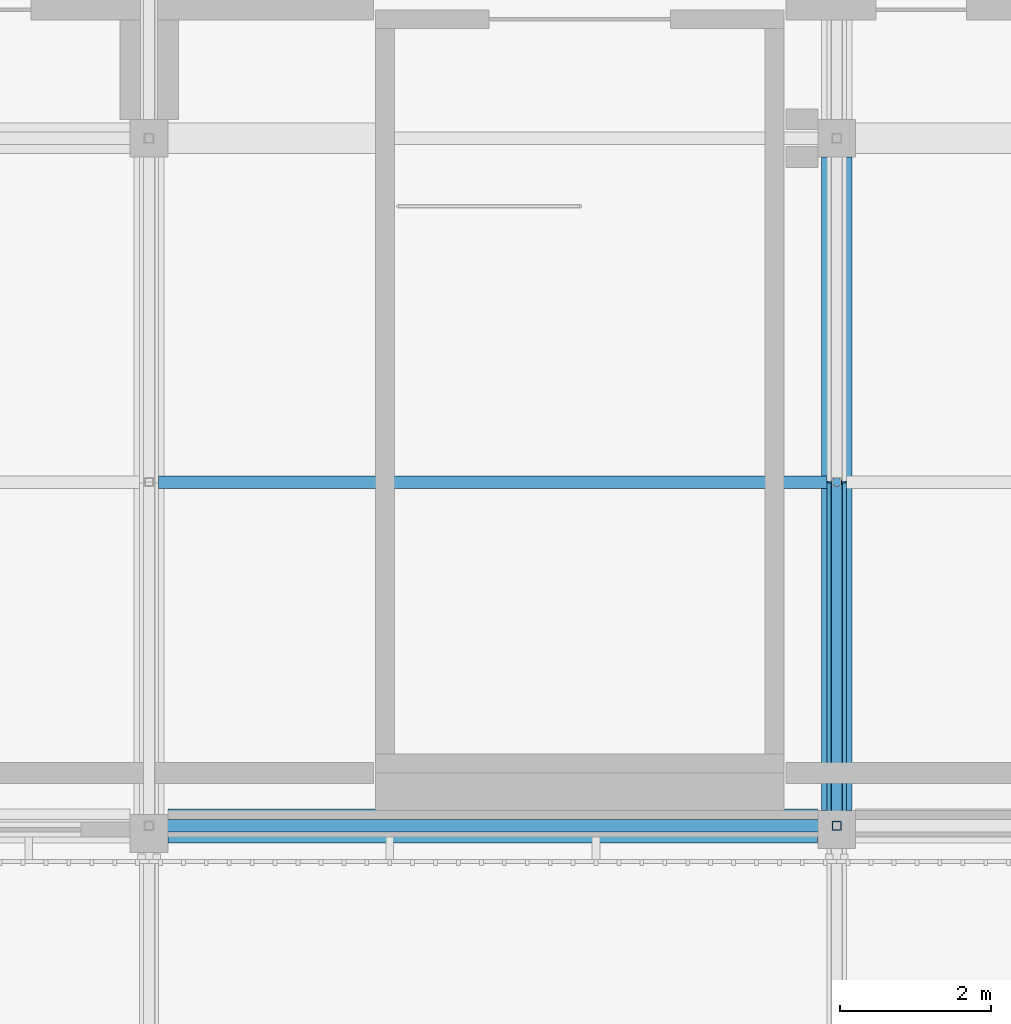
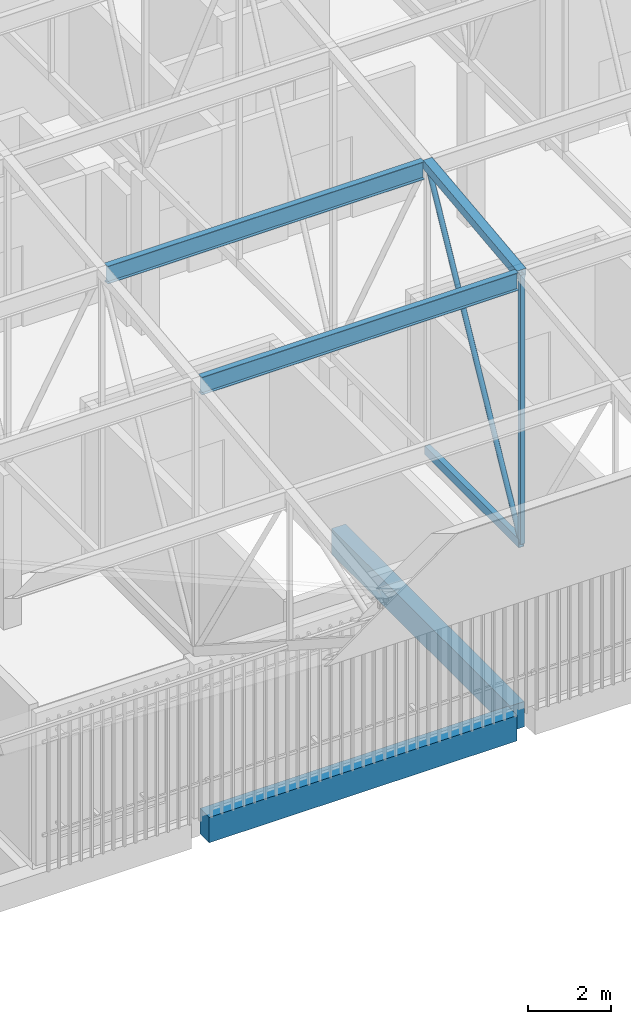
# One storey, part 117 of 500: 6 members, 2 beams.
"""IFC4 building model written with IfcOpenShell, lengths in metres."""

from ifc_helpers import new_model, si_unit, direction, frame, origin, origin_2d, place, context, subcontext, project, spatial, rectangle, hollow_rectangle, hollow_circle, i_section, extrude, material, material_profile, profile_set, type_object, element, save


model = new_model("IFC4")

# Units and contexts
model_context = context("Model", 3, precision=1e-05, world=origin(), true_north=direction((0.0, 1.0)))
body_context = subcontext(model_context, "Body", "Model", "MODEL_VIEW")
ifc_project = project(units=[si_unit("LENGTHUNIT", "METRE"), si_unit("AREAUNIT", "SQUARE_METRE"), si_unit("VOLUMEUNIT", "CUBIC_METRE"), si_unit("PLANEANGLEUNIT", "RADIAN"), si_unit("MASSUNIT", "GRAM", prefix="KILO")], contexts=[model_context])

# Site, building, storey
site_placement = place(None, origin())
site = spatial("IfcSite", under=ifc_project, at=site_placement, CompositionType="ELEMENT")
building_placement = place(site_placement, origin())
building = spatial("IfcBuilding", under=site, at=building_placement, Name="Shirokan Park Arena", CompositionType="ELEMENT")
storey_placement = place(building_placement, frame((0.0, 0.0, 29.1201171875)))
storey = spatial("IfcBuildingStorey", under=building, at=storey_placement, Name="L06", CompositionType="ELEMENT", Elevation=29.1201171875)

# Members
ifc_material_1 = material(Name="Steel ASTM A500 Grade C", Category="steel")
ifc_material_profile_1 = material_profile(ifc_material_1, hollow_rectangle(XDim=0.152099609375, YDim=0.25390625, WallThickness=0.009521484375, at=origin_2d()), Name="HSS254X152.4X9.5")
ifc_profile_set_1 = profile_set([ifc_material_profile_1], Name="Steel ASTM A500 Grade C")
member_type_1 = type_object("IfcMemberType", Name="Bottom chord HSS254X152.4X9.5", PredefinedType="CHORD", material=ifc_profile_set_1)
member_1_placement = place(storey_placement, frame((118.300048828125, 0.0, 4.677001953125), z_axis=(0.0, 1.0, 0.0), x_axis=(-1.0, 0.0, 0.0)))
element("IfcMember", 1, at=member_1_placement, inside=storey, type_object=member_type_1, Name="Truss T14 bottom chord 3", PredefinedType="CHORD", context=body_context, shape_type="SweptSolid", body=[
    extrude(hollow_rectangle(XDim=0.152099609375, YDim=0.25390625, WallThickness=0.009521484375, at=origin_2d()), origin(), (0.0, 0.0, 1.0), 4.550048828125),
])
ifc_material_2 = material(Name="Steel ASTM A992", Category="steel")
ifc_material_profile_2 = material_profile(ifc_material_2, i_section(OverallWidth=0.166015625, OverallDepth=0.528076171875, WebThickness=0.009765625, FlangeThickness=0.013671875, at=origin_2d()), Name="W530X74")
ifc_profile_set_2 = profile_set([ifc_material_profile_2], Name="Steel ASTM A992")
member_type_2 = type_object("IfcMemberType", Name="Purlin W530X74", PredefinedType="PURLIN", material=ifc_profile_set_2)
for number, where, z_axis, x_axis, name in (
    (2, (109.326904296875, 0.0, 12.48583984375), (1.0, 0.0, 0.0), (0.0, 1.0, 0.0), "Purlin 3 bay 13"),
    (3, (109.326904296875, 4.550048828125, 13.005859375), (1.0, 0.0, 0.0), (0.0, 1.0, 0.0), "Purlin 4 bay 13"),
):
    element("IfcMember", number, at=place(storey_placement, frame(where, z_axis=z_axis, x_axis=x_axis)), inside=storey, type_object=member_type_2, Name=name, PredefinedType="PURLIN", context=body_context, shape_type="SweptSolid", body=[
        extrude(i_section(OverallWidth=0.166015625, OverallDepth=0.528076171875, WebThickness=0.009765625, FlangeThickness=0.013671875, at=origin_2d()), origin(), (0.0, 0.0, 1.0), 8.84619140625),
    ])

# Beams
ifc_material_3 = material(Name="Concrete C35", Category="concrete")
ifc_material_profile_3 = material_profile(ifc_material_3, rectangle(XDim=0.39990234375, YDim=0.75, at=origin_2d()), Name="400x750")
ifc_profile_set_3 = profile_set([ifc_material_profile_3], Name="Concrete C35")
beam_type_1 = type_object("IfcBeamType", Name="RC girder 400x750", PredefinedType="BEAM", material=ifc_profile_set_3)
beam_1_placement = place(storey_placement, frame((118.300048828125, 0.2001953125, -0.5751953125), z_axis=(0.0, 1.0, 0.0), x_axis=(-1.0, 0.0, 0.0)))
element("IfcBeam", 4, at=beam_1_placement, inside=storey, type_object=beam_type_1, Name="Girder 14A-14B L06", PredefinedType="BEAM", context=body_context, shape_type="SweptSolid", body=[
    extrude(rectangle(XDim=0.39990234375, YDim=0.75, at=origin_2d()), origin(), (0.0, 0.0, 1.0), 8.649658203125),
])
ifc_material_profile_4 = material_profile(ifc_material_3, rectangle(XDim=0.449951171875, YDim=0.75, at=origin_2d()), Name="450x750")
ifc_profile_set_4 = profile_set([ifc_material_profile_4], Name="Concrete C35")
beam_type_2 = type_object("IfcBeamType", Name="RC girder 450x750", PredefinedType="BEAM", material=ifc_profile_set_4)
beam_2_placement = place(storey_placement, frame((109.4501953125, 0.0, -0.5751953125), z_axis=(1.0, 0.0, 0.0), x_axis=(0.0, 1.0, 0.0)))
element("IfcBeam", 5, at=beam_2_placement, inside=storey, type_object=beam_type_2, Name="Girder 13A-14A L06", PredefinedType="BEAM", context=body_context, shape_type="SweptSolid", body=[
    extrude(rectangle(XDim=0.449951171875, YDim=0.75, at=origin_2d()), origin(), (0.0, 0.0, 1.0), 8.599609375),
])

# Members
ifc_material_profile_5 = material_profile(ifc_material_1, hollow_rectangle(XDim=0.25390625, YDim=0.25390625, WallThickness=0.009521484375, at=origin_2d()), Name="HSS254X254X9.5")
ifc_profile_set_5 = profile_set([ifc_material_profile_5], Name="Steel ASTM A500 Grade C")
member_type_3 = type_object("IfcMemberType", Name="Top chord HSS254X254X9.5", PredefinedType="CHORD", material=ifc_profile_set_5)
member_2_placement = place(storey_placement, frame((118.300048828125, 0.0, 12.622802734375), z_axis=(0.0, 0.993532328996, 0.113549598152), x_axis=(-1.0, 0.0, 0.0)))
element("IfcMember", 6, at=member_2_placement, inside=storey, type_object=member_type_3, Name="Truss T14 top chord 3", PredefinedType="CHORD", context=body_context, shape_type="SweptSolid", body=[
    extrude(hollow_rectangle(XDim=0.25390625, YDim=0.25390625, WallThickness=0.009521484375, at=origin_2d()), origin(), (0.0, 0.0, 1.0), 4.57958984375),
])
ifc_material_profile_6 = material_profile(ifc_material_1, hollow_circle(Radius=0.070556640625, WallThickness=0.006591796875, at=origin_2d()), Name="HSS141.3X6.6")
ifc_profile_set_6 = profile_set([ifc_material_profile_6], Name="Steel ASTM A500 Grade C")
member_type_4 = type_object("IfcMemberType", Name="Truss diagonal HSS141.3X6.6", PredefinedType="BRACE", material=ifc_profile_set_6)
member_3_placement = place(storey_placement, frame((118.300048828125, 0.0, 4.677001953125), z_axis=(0.0, 0.473416507165, 0.880838697347), x_axis=(-1.0, 0.0, 0.0)))
element("IfcMember", 7, at=member_3_placement, inside=storey, type_object=member_type_4, Name="Truss T14 diagonal 3", PredefinedType="BRACE", context=body_context, shape_type="SweptSolid", body=[
    extrude(hollow_circle(Radius=0.070556640625, WallThickness=0.006591796875, at=origin_2d()), origin(), (0.0, 0.0, 1.0), 9.611083984375),
])
ifc_material_profile_7 = material_profile(ifc_material_1, hollow_rectangle(XDim=0.126953125, YDim=0.126953125, WallThickness=0.0126953125, at=origin_2d()), Name="HSS127X127X12.7")
ifc_profile_set_7 = profile_set([ifc_material_profile_7], Name="Steel ASTM A500 Grade C")
member_type_5 = type_object("IfcMemberType", Name="Truss post HSS127X127X12.7", PredefinedType="POST", material=ifc_profile_set_7)
member_4_placement = place(storey_placement, frame((118.300048828125, 0.0, 4.677001953125), z_axis=(0.0, 0.0, 1.0), x_axis=(1.0, 0.0, 0.0)))
element("IfcMember", 8, at=member_4_placement, inside=storey, type_object=member_type_5, Name="Truss T14 post 3", PredefinedType="POST", context=body_context, shape_type="SweptSolid", body=[
    extrude(hollow_rectangle(XDim=0.126953125, YDim=0.126953125, WallThickness=0.0126953125, at=origin_2d()), origin(), (0.0, 0.0, 1.0), 7.94580078125),
])

save(model, "model.ifc")
